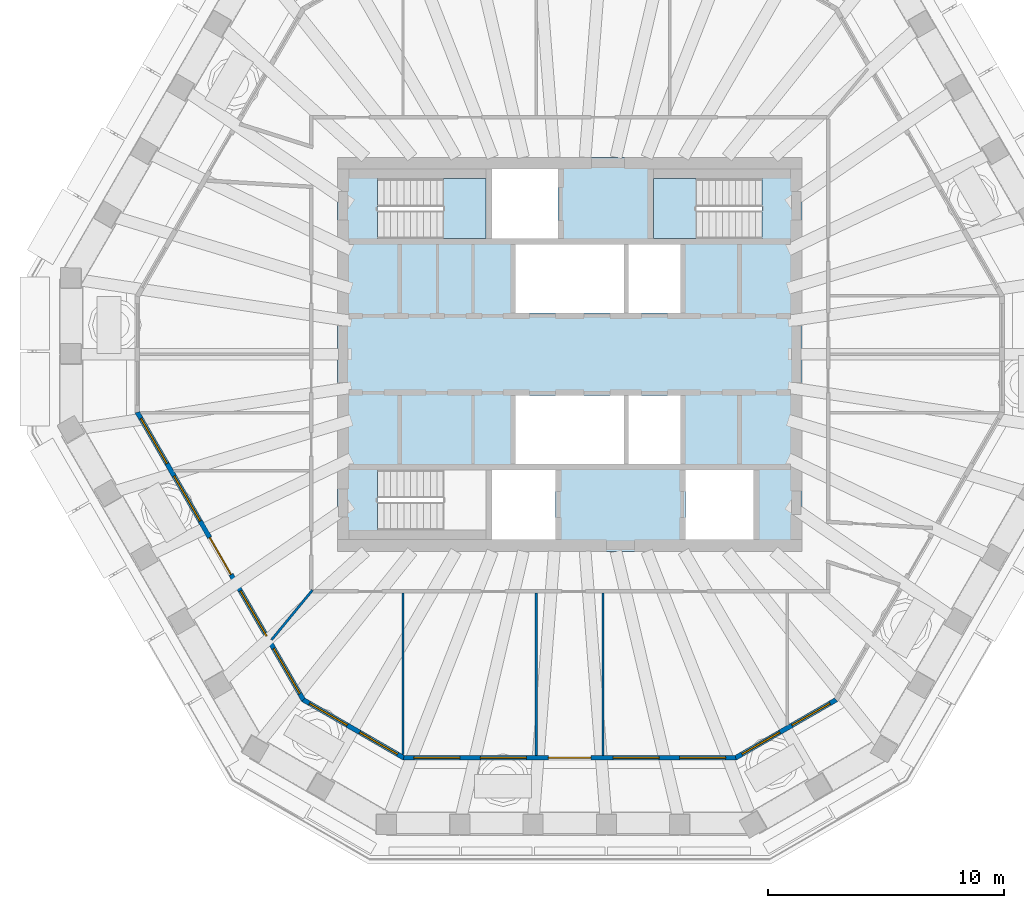
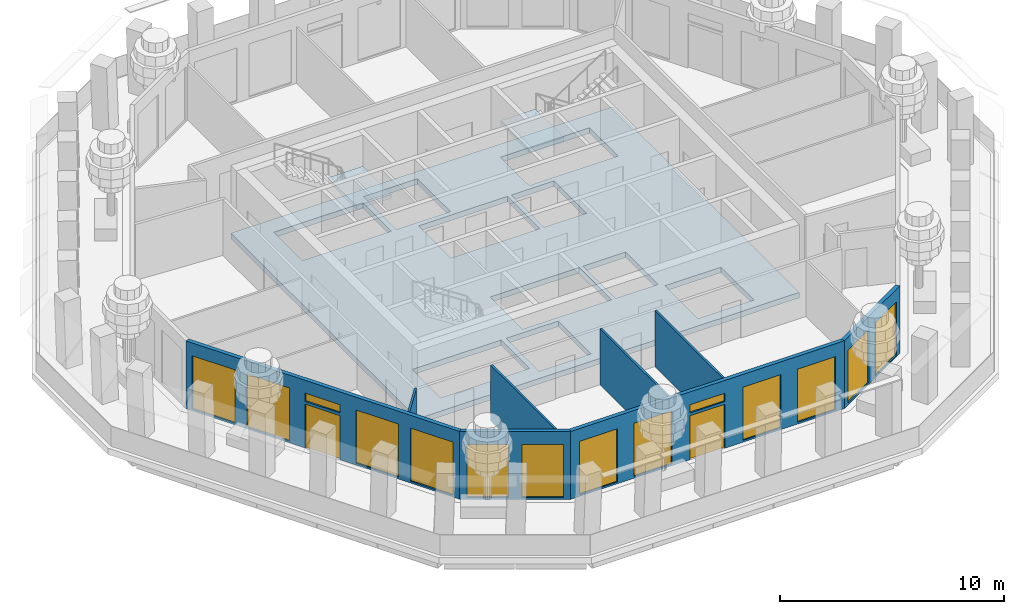
# One storey, part 3 of 13: 14 windows, 8 walls, 3 slabs, 2 doors, 16 openings, 2 elements without a shape of their own.
"""IFC4 building model written with IfcOpenShell, lengths in metres."""

from ifc_helpers import new_model, si_unit, direction, frame, frame_2d, origin, place, context, subcontext, project, spatial, polyline, rectangle, outline, extrude, material, layer, layer_set, type_object, element, fill, aggregate, save


model = new_model("IFC4")

# Units and contexts
model_context = context("Model", 3, precision=1e-05, world=origin(), true_north=direction((0.0, 1.0)))
body_context = subcontext(model_context, "Body", "Model", "MODEL_VIEW")
ifc_project = project(units=[si_unit("LENGTHUNIT", "METRE"), si_unit("AREAUNIT", "SQUARE_METRE"), si_unit("VOLUMEUNIT", "CUBIC_METRE"), si_unit("PLANEANGLEUNIT", "RADIAN"), si_unit("MASSUNIT", "GRAM", prefix="KILO")], contexts=[model_context])

# Site, building, storey
site_placement = place(None, origin())
site = spatial("IfcSite", under=ifc_project, at=site_placement, CompositionType="ELEMENT")
building_placement = place(site_placement, origin())
building = spatial("IfcBuilding", under=site, at=building_placement, Name="Frailejon Research Tower", CompositionType="ELEMENT")
storey_placement = place(building_placement, frame((0.0, 0.0, 308.60009765625)))
storey = spatial("IfcBuildingStorey", under=building, at=storey_placement, Name="L68", CompositionType="ELEMENT", Elevation=308.60009765625)

# Slab
ifc_material_1 = material(Name="Concrete C50/60", Category="concrete")
ifc_layer_1 = layer(ifc_material_1, 0.300048828125)
ifc_layer_set_1 = layer_set([ifc_layer_1], Name="Core floor slab 300 C50/60")
slab_type_1 = type_object("IfcSlabType", Name="Core floor slab 300 C50/60", PredefinedType="FLOOR", material=ifc_layer_set_1)
slab_1_placement = place(storey_placement, frame((0.0, 0.0, -0.300048828125)))
element("IfcSlab", 1, at=slab_1_placement, inside=storey, type_object=slab_type_1, Name="Core floor slab", PredefinedType="FLOOR", context=body_context, shape_type="SweptSolid", body=[
    extrude(outline(polyline([(9.85009765625, -8.35009765625), (9.85009765625, 8.35009765625), (-9.85009765625, 8.35009765625), (-9.85009765625, -8.35009765625), (9.85009765625, -8.35009765625)]), holes=[polyline([(2.300048828125, 1.75), (2.300048828125, 4.64990234375), (-2.300048828125, 4.64990234375), (-2.300048828125, 1.75), (2.300048828125, 1.75)]), polyline([(4.699951171875, 1.75), (4.699951171875, 4.64990234375), (2.5, 4.64990234375), (2.5, 1.75), (4.699951171875, 1.75)]), polyline([(2.300048828125, -4.64990234375), (2.300048828125, -1.75), (-2.300048828125, -1.75), (-2.300048828125, -4.64990234375), (2.300048828125, -4.64990234375)]), polyline([(4.699951171875, -4.64990234375), (4.699951171875, -1.75), (2.5, -1.75), (2.5, -4.64990234375), (4.699951171875, -4.64990234375)]), polyline([(-8.14697265625, 4.89990234375), (-3.550048828125, 4.89990234375), (-3.550048828125, 7.449951171875), (-8.14697265625, 7.449951171875), (-8.14697265625, 4.89990234375)]), polyline([(-8.14697265625, -7.449951171875), (-3.550048828125, -7.449951171875), (-3.550048828125, -4.89990234375), (-8.14697265625, -4.89990234375), (-8.14697265625, -7.449951171875)]), polyline([(8.14697265625, 7.449951171875), (3.550048828125, 7.449951171875), (3.550048828125, 4.89990234375), (8.14697265625, 4.89990234375), (8.14697265625, 7.449951171875)]), polyline([(-0.60009765625, -7.85009765625), (-0.60009765625, -4.89990234375), (-3.300048828125, -4.89990234375), (-3.300048828125, -7.85009765625), (-0.60009765625, -7.85009765625)]), polyline([(7.800048828125, -7.85009765625), (7.800048828125, -4.89990234375), (4.89990234375, -4.89990234375), (4.89990234375, -7.85009765625), (7.800048828125, -7.85009765625)]), polyline([(-0.5, 4.89990234375), (-0.5, 7.85009765625), (-3.300048828125, 7.85009765625), (-3.300048828125, 4.89990234375), (-0.5, 4.89990234375)])]), origin(), (0.0, 0.0, 1.0), 0.300048828125),
])

# Stair, slab
ifc_material_2 = material(Name="Concrete C50/60", Category="concrete")
stair_type = type_object("IfcStairType", Name="Exit stair 22 risers", PredefinedType="HALF_TURN_STAIR", material=ifc_material_2)
stair_1_placement = place(storey_placement, origin())
stair_1 = element("IfcStair", 2, at=stair_1_placement, inside=storey, type_object=stair_type, Name="L68 Exit stair ST1", PredefinedType="HALF_TURN_STAIR")
ifc_material_3 = material(Name="Concrete C50/60", Category="concrete")
ifc_layer_2 = layer(ifc_material_3, 0.199951171875)
ifc_layer_set_2 = layer_set([ifc_layer_2], Name="Stair landing slab 200")
slab_type_2 = type_object("IfcSlabType", Name="Stair landing slab 200", PredefinedType="LANDING", material=ifc_layer_set_2)
slab_2_placement = place(storey_placement, frame((0.0, 0.0, 1.7998046875)))
slab_2 = element("IfcSlab", 3, at=slab_2_placement, type_object=slab_type_2, Name="ST1 landing 1", PredefinedType="LANDING", context=body_context, shape_type="SweptSolid", body=[
    extrude(outline(polyline([(-5.35009765625, 4.89990234375), (-3.550048828125, 4.89990234375), (-3.550048828125, 7.449951171875), (-5.35009765625, 7.449951171875), (-5.35009765625, 4.89990234375)])), origin(), (0.0, 0.0, 1.0), 0.2001953125),
])
aggregate(stair_1, [slab_2])

stair_2_placement = place(storey_placement, origin())
stair_2 = element("IfcStair", 4, at=stair_2_placement, inside=storey, type_object=stair_type, Name="L68 Exit stair ST3", PredefinedType="HALF_TURN_STAIR")
slab_3_placement = place(storey_placement, frame((0.0, 0.0, 1.7998046875)))
slab_3 = element("IfcSlab", 5, at=slab_3_placement, type_object=slab_type_2, Name="ST3 landing 1", PredefinedType="LANDING", context=body_context, shape_type="SweptSolid", body=[
    extrude(outline(polyline([(5.35009765625, 7.449951171875), (3.550048828125, 7.449951171875), (3.550048828125, 4.89990234375), (5.35009765625, 4.89990234375), (5.35009765625, 7.449951171875)])), origin(), (0.0, 0.0, 1.0), 0.2001953125),
])
aggregate(stair_2, [slab_3])

# Walls
ifc_material_4 = material(Name="Gypsum board and masonry partition", Category="masonry")
ifc_layer_3 = layer(ifc_material_4, 0.10009765625)
ifc_layer_set_3 = layer_set([ifc_layer_3], Name="Partition, gypsum on steel studs 100")
wall_type_1 = type_object("IfcWallType", Name="Partition, gypsum on steel studs 100", PredefinedType="PARTITIONING", material=ifc_layer_set_3)
wall_1_placement = place(storey_placement, frame((-1.412841796875, -17.0, 0.0), z_axis=(0.0, 0.0, 1.0), x_axis=(0.0, 1.0, 0.0)))
element("IfcWall", 6, at=wall_1_placement, inside=storey, type_object=wall_type_1, Name="T:IW:L68:016", PredefinedType="PARTITIONING", context=body_context, shape_type="SweptSolid", body=[
    extrude(rectangle(XDim=6.875, YDim=0.10009765625, at=frame_2d((3.4375, 0.0))), origin(), (0.0, 0.0, 1.0), 3.0498046875),
])
wall_2_placement = place(storey_placement, frame((-7.063720703125, -16.968994140625, 0.0), z_axis=(0.0, 0.0, 1.0), x_axis=(0.0, 1.0, 0.0)))
element("IfcWall", 7, at=wall_2_placement, inside=storey, type_object=wall_type_1, Name="T:IW:L68:018", PredefinedType="PARTITIONING", context=body_context, shape_type="SweptSolid", body=[
    extrude(rectangle(XDim=6.843994140625, YDim=0.10009765625, at=frame_2d((3.421875, 0.0))), origin(), (0.0, 0.0, 1.0), 3.0498046875),
])
wall_3_placement = place(storey_placement, frame((-12.640869140625, -12.10546875, 0.0), z_axis=(0.0, 0.0, 1.0), x_axis=(0.635310017761, 0.772257198952, 0.0)))
element("IfcWall", 8, at=wall_3_placement, inside=storey, type_object=wall_type_1, Name="T:IW:L68:023", PredefinedType="PARTITIONING", context=body_context, shape_type="SweptSolid", body=[
    extrude(rectangle(XDim=2.736572265625, YDim=0.10009765625, at=frame_2d((1.3681640625, 0.0))), origin(), (0.0, 0.0, 1.0), 3.0498046875),
])
wall_4_placement = place(storey_placement, frame((1.412841796875, -17.0, 0.0), z_axis=(0.0, 0.0, 1.0), x_axis=(0.0, 1.0, 0.0)))
element("IfcWall", 9, at=wall_4_placement, inside=storey, type_object=wall_type_1, Name="T:IW:L68:024", PredefinedType="PARTITIONING", context=body_context, shape_type="SweptSolid", body=[
    extrude(rectangle(XDim=6.875, YDim=0.10009765625, at=frame_2d((3.4375, 0.0))), origin(), (0.0, 0.0, 1.0), 3.0498046875),
])

# Wall, openings, door, windows
ifc_material_5 = material(Name="Concrete C40/50 precast window wall panel", Category="concrete")
ifc_layer_4 = layer(ifc_material_5, 0.199951171875)
ifc_layer_set_4 = layer_set([ifc_layer_4], Name="Window wall 200")
wall_type_2 = type_object("IfcWallType", Name="Window wall 200", PredefinedType="SOLIDWALL", material=ifc_layer_set_4)
wall_5_placement = place(storey_placement, frame((-18.327392578125, -2.455810546875, 0.0), z_axis=(0.0, 0.0, 1.0), x_axis=(0.499991740577, -0.866030172312, 0.0)))
wall_5 = element("IfcWall", 10, at=wall_5_placement, inside=storey, type_object=wall_type_2, Name="Exterior wall L68", PredefinedType="SOLIDWALL", context=body_context, shape_type="SweptSolid", body=[
    extrude(outline(polyline([(-0.02685546875, -0.10009765625), (0.982177734375, -0.10009765625), (1.991455078125, -0.10009765625), (3.00048828125, -0.10009765625), (4.009521484375, -0.10009765625), (5.018798828125, -0.10009765625), (6.02783203125, -0.10009765625), (7.037109375, -0.10009765625), (8.046142578125, -0.10009765625), (9.05517578125, -0.10009765625), (10.064453125, -0.10009765625), (11.073486328125, -0.10009765625), (12.08251953125, -0.10009765625), (13.091796875, -0.10009765625), (14.100830078125, -0.10009765625), (14.047119140625, 0.10009765625), (13.045654296875, 0.10009765625), (12.044189453125, 0.10009765625), (11.042724609375, 0.10009765625), (10.041259765625, 0.10009765625), (9.039794921875, 0.10009765625), (8.038330078125, 0.10009765625), (7.037109375, 0.10009765625), (6.03564453125, 0.10009765625), (5.0341796875, 0.10009765625), (4.03271484375, 0.10009765625), (3.03125, 0.10009765625), (2.02978515625, 0.10009765625), (1.0283203125, 0.10009765625), (0.02685546875, 0.10009765625), (-0.02685546875, -0.10009765625)])), origin(), (0.0, 0.0, 1.0), 3.699951171875),
])
opening_1_placement = place(wall_5_placement, frame((0.307373046875, 0.0, 0.10009765625)))
opening_1 = element("IfcOpeningElement", 11, at=opening_1_placement, cuts=wall_5, Name="Opening W28", PredefinedType="OPENING", context=body_context, shape_type="SweptSolid", body=[
    extrude(rectangle(XDim=2.199951171875, YDim=2.89990234375, at=frame_2d((1.10009765625, 1.449951171875))), frame((0.0, 0.10986328125, 0.0), z_axis=(0.0, -1.0, 0.0), x_axis=(1.0, 0.0, 0.0)), (0.0, 0.0, 1.0), 0.219970703125),
])
opening_2_placement = place(wall_5_placement, frame((3.122314453125, 0.0, 0.10009765625)))
opening_2 = element("IfcOpeningElement", 12, at=opening_2_placement, cuts=wall_5, Name="Opening W28", PredefinedType="OPENING", context=body_context, shape_type="SweptSolid", body=[
    extrude(rectangle(XDim=2.199951171875, YDim=2.89990234375, at=frame_2d((1.10009765625, 1.449951171875))), frame((0.0, 0.10986328125, 0.0), z_axis=(0.0, -1.0, 0.0), x_axis=(1.0, 0.0, 0.0)), (0.0, 0.0, 1.0), 0.219970703125),
])
opening_3_placement = place(wall_5_placement, frame((6.136962890625, 0.0, 0.0)))
opening_3 = element("IfcOpeningElement", 13, at=opening_3_placement, cuts=wall_5, Name="Opening LG68-4", PredefinedType="OPENING", context=body_context, shape_type="SweptSolid", body=[
    extrude(rectangle(XDim=1.800048828125, YDim=2.39990234375, at=frame_2d((0.89990234375, 1.199951171875))), frame((0.0, 0.10986328125, 0.0), z_axis=(0.0, -1.0, 0.0), x_axis=(1.0, 0.0, 0.0)), (0.0, 0.0, 1.0), 0.219970703125),
])
opening_4_placement = place(wall_5_placement, frame((6.136962890625, 0.0, 2.550048828125)))
opening_4 = element("IfcOpeningElement", 14, at=opening_4_placement, cuts=wall_5, Name="Opening W1", PredefinedType="OPENING", context=body_context, shape_type="SweptSolid", body=[
    extrude(rectangle(XDim=1.800048828125, YDim=0.449951171875, at=frame_2d((0.89990234375, 0.22509765625))), frame((0.0, 0.10986328125, 0.0), z_axis=(0.0, -1.0, 0.0), x_axis=(1.0, 0.0, 0.0)), (0.0, 0.0, 1.0), 0.219970703125),
])
opening_5_placement = place(wall_5_placement, frame((8.751708984375, 0.0, 0.10009765625)))
opening_5 = element("IfcOpeningElement", 15, at=opening_5_placement, cuts=wall_5, Name="Opening W28", PredefinedType="OPENING", context=body_context, shape_type="SweptSolid", body=[
    extrude(rectangle(XDim=2.199951171875, YDim=2.89990234375, at=frame_2d((1.10009765625, 1.449951171875))), frame((0.0, 0.10986328125, 0.0), z_axis=(0.0, -1.0, 0.0), x_axis=(1.0, 0.0, 0.0)), (0.0, 0.0, 1.0), 0.219970703125),
])
opening_6_placement = place(wall_5_placement, frame((11.56640625, 0.0, 0.10009765625)))
opening_6 = element("IfcOpeningElement", 16, at=opening_6_placement, cuts=wall_5, Name="Opening W28", PredefinedType="OPENING", context=body_context, shape_type="SweptSolid", body=[
    extrude(rectangle(XDim=2.199951171875, YDim=2.89990234375, at=frame_2d((1.10009765625, 1.449951171875))), frame((0.0, 0.10986328125, 0.0), z_axis=(0.0, -1.0, 0.0), x_axis=(1.0, 0.0, 0.0)), (0.0, 0.0, 1.0), 0.219970703125),
])
ifc_material_6 = material(Name="Aluminium framed glazed door leaf", Category="aluminium")
door_type = type_object("IfcDoorType", Name="Loggia door 1800x2400", OperationType="DOUBLE_DOOR_SINGLE_SWING", PredefinedType="DOOR", material=ifc_material_6)
door_1_placement = place(opening_3_placement, origin())
door_1 = element("IfcDoor", 17, at=door_1_placement, inside=storey, type_object=door_type, Name="Door LG68-4", OperationType="DOUBLE_DOOR_SINGLE_SWING", OverallHeight=2.39990234375, OverallWidth=1.800048828125, PredefinedType="DOOR", context=body_context, shape_type="SweptSolid", body=[
    extrude(rectangle(XDim=1.800048828125, YDim=2.39990234375, at=frame_2d((0.89990234375, 1.199951171875))), frame((0.0, 0.02490234375, 0.0), z_axis=(0.0, -1.0, 0.0), x_axis=(1.0, 0.0, 0.0)), (0.0, 0.0, 1.0), 0.050048828125),
])
fill(opening_3, door_1)
ifc_material_7 = material(Name="Aluminium framed double glazing", Category="aluminium")
window_type_1 = type_object("IfcWindowType", Name="Window 1800x450", PartitioningType="SINGLE_PANEL", PredefinedType="WINDOW", material=ifc_material_7)
window_1_placement = place(opening_4_placement, origin())
window_1 = element("IfcWindow", 18, at=window_1_placement, inside=storey, type_object=window_type_1, Name="Window L68", OverallHeight=0.449951171875, OverallWidth=1.800048828125, PartitioningType="SINGLE_PANEL", PredefinedType="WINDOW", context=body_context, shape_type="SweptSolid", body=[
    extrude(rectangle(XDim=1.800048828125, YDim=0.449951171875, at=frame_2d((0.89990234375, 0.22509765625))), frame((0.0, 0.030029296875, 0.0), z_axis=(0.0, -1.0, 0.0), x_axis=(1.0, 0.0, 0.0)), (0.0, 0.0, 1.0), 0.06005859375),
])
fill(opening_4, window_1)
ifc_material_8 = material(Name="Aluminium framed double glazing", Category="aluminium")
window_type_2 = type_object("IfcWindowType", Name="Window 2200x2900", PartitioningType="SINGLE_PANEL", PredefinedType="WINDOW", material=ifc_material_8)
window_2_placement = place(opening_1_placement, origin())
window_2 = element("IfcWindow", 19, at=window_2_placement, inside=storey, type_object=window_type_2, Name="Window L68", OverallHeight=2.89990234375, OverallWidth=2.199951171875, PartitioningType="SINGLE_PANEL", PredefinedType="WINDOW", context=body_context, shape_type="SweptSolid", body=[
    extrude(rectangle(XDim=2.199951171875, YDim=2.89990234375, at=frame_2d((1.10009765625, 1.449951171875))), frame((0.0, 0.030029296875, 0.0), z_axis=(0.0, -1.0, 0.0), x_axis=(1.0, 0.0, 0.0)), (0.0, 0.0, 1.0), 0.06005859375),
])
fill(opening_1, window_2)
window_3_placement = place(opening_2_placement, origin())
window_3 = element("IfcWindow", 20, at=window_3_placement, inside=storey, type_object=window_type_2, Name="Window L68", OverallHeight=2.89990234375, OverallWidth=2.199951171875, PartitioningType="SINGLE_PANEL", PredefinedType="WINDOW", context=body_context, shape_type="SweptSolid", body=[
    extrude(rectangle(XDim=2.199951171875, YDim=2.89990234375, at=frame_2d((1.10009765625, 1.449951171875))), frame((0.0, 0.030029296875, 0.0), z_axis=(0.0, -1.0, 0.0), x_axis=(1.0, 0.0, 0.0)), (0.0, 0.0, 1.0), 0.06005859375),
])
fill(opening_2, window_3)
window_4_placement = place(opening_5_placement, origin())
window_4 = element("IfcWindow", 21, at=window_4_placement, inside=storey, type_object=window_type_2, Name="Window L68", OverallHeight=2.89990234375, OverallWidth=2.199951171875, PartitioningType="SINGLE_PANEL", PredefinedType="WINDOW", context=body_context, shape_type="SweptSolid", body=[
    extrude(rectangle(XDim=2.199951171875, YDim=2.89990234375, at=frame_2d((1.10009765625, 1.449951171875))), frame((0.0, 0.030029296875, 0.0), z_axis=(0.0, -1.0, 0.0), x_axis=(1.0, 0.0, 0.0)), (0.0, 0.0, 1.0), 0.06005859375),
])
fill(opening_5, window_4)
window_5_placement = place(opening_6_placement, origin())
window_5 = element("IfcWindow", 22, at=window_5_placement, inside=storey, type_object=window_type_2, Name="Window L68", OverallHeight=2.89990234375, OverallWidth=2.199951171875, PartitioningType="SINGLE_PANEL", PredefinedType="WINDOW", context=body_context, shape_type="SweptSolid", body=[
    extrude(rectangle(XDim=2.199951171875, YDim=2.89990234375, at=frame_2d((1.10009765625, 1.449951171875))), frame((0.0, 0.030029296875, 0.0), z_axis=(0.0, -1.0, 0.0), x_axis=(1.0, 0.0, 0.0)), (0.0, 0.0, 1.0), 0.06005859375),
])
fill(opening_6, window_5)

# Wall, openings, windows
wall_6_placement = place(storey_placement, frame((-11.29052734375, -14.644287109375, 0.0), z_axis=(0.0, 0.0, 1.0), x_axis=(0.86601671623, -0.500015046984, 0.0)))
wall_6 = element("IfcWall", 23, at=wall_6_placement, inside=storey, type_object=wall_type_2, Name="Exterior wall L68", PredefinedType="SOLIDWALL", context=body_context, shape_type="SweptSolid", body=[
    extrude(outline(polyline([(-0.02685546875, -0.10009765625), (1.21435546875, -0.10009765625), (2.45556640625, -0.10009765625), (3.697021484375, -0.10009765625), (4.938232421875, -0.10009765625), (4.884521484375, 0.10009765625), (3.670166015625, 0.10009765625), (2.45556640625, 0.10009765625), (1.2412109375, 0.10009765625), (0.02685546875, 0.10009765625), (-0.02685546875, -0.10009765625)])), origin(), (0.0, 0.0, 1.0), 3.699951171875),
])
opening_7_placement = place(wall_6_placement, frame((0.302978515625, 0.0, 0.10009765625)))
opening_7 = element("IfcOpeningElement", 24, at=opening_7_placement, cuts=wall_6, Name="Opening W26", PredefinedType="OPENING", context=body_context, shape_type="SweptSolid", body=[
    extrude(rectangle(XDim=1.85009765625, YDim=2.89990234375, at=frame_2d((0.925048828125, 1.449951171875))), frame((0.0, 0.10986328125, 0.0), z_axis=(0.0, -1.0, 0.0), x_axis=(1.0, 0.0, 0.0)), (0.0, 0.0, 1.0), 0.219970703125),
])
opening_8_placement = place(wall_6_placement, frame((2.7587890625, 0.0, 0.10009765625)))
opening_8 = element("IfcOpeningElement", 25, at=opening_8_placement, cuts=wall_6, Name="Opening W26", PredefinedType="OPENING", context=body_context, shape_type="SweptSolid", body=[
    extrude(rectangle(XDim=1.85009765625, YDim=2.89990234375, at=frame_2d((0.925048828125, 1.449951171875))), frame((0.0, 0.10986328125, 0.0), z_axis=(0.0, -1.0, 0.0), x_axis=(1.0, 0.0, 0.0)), (0.0, 0.0, 1.0), 0.219970703125),
])
ifc_material_9 = material(Name="Aluminium framed double glazing", Category="aluminium")
window_type_3 = type_object("IfcWindowType", Name="Window 1850x2900", PartitioningType="SINGLE_PANEL", PredefinedType="WINDOW", material=ifc_material_9)
window_6_placement = place(opening_7_placement, origin())
window_6 = element("IfcWindow", 26, at=window_6_placement, inside=storey, type_object=window_type_3, Name="Window L68", OverallHeight=2.89990234375, OverallWidth=1.85009765625, PartitioningType="SINGLE_PANEL", PredefinedType="WINDOW", context=body_context, shape_type="SweptSolid", body=[
    extrude(rectangle(XDim=1.85009765625, YDim=2.89990234375, at=frame_2d((0.925048828125, 1.449951171875))), frame((0.0, 0.030029296875, 0.0), z_axis=(0.0, -1.0, 0.0), x_axis=(1.0, 0.0, 0.0)), (0.0, 0.0, 1.0), 0.06005859375),
])
fill(opening_7, window_6)
window_7_placement = place(opening_8_placement, origin())
window_7 = element("IfcWindow", 27, at=window_7_placement, inside=storey, type_object=window_type_3, Name="Window L68", OverallHeight=2.89990234375, OverallWidth=1.85009765625, PartitioningType="SINGLE_PANEL", PredefinedType="WINDOW", context=body_context, shape_type="SweptSolid", body=[
    extrude(rectangle(XDim=1.85009765625, YDim=2.89990234375, at=frame_2d((0.925048828125, 1.449951171875))), frame((0.0, 0.030029296875, 0.0), z_axis=(0.0, -1.0, 0.0), x_axis=(1.0, 0.0, 0.0)), (0.0, 0.0, 1.0), 0.06005859375),
])
fill(opening_8, window_7)

# Wall, openings, door, windows
wall_7_placement = place(storey_placement, frame((-7.037109375, -17.10009765625, 0.0), z_axis=(0.0, 0.0, 1.0), x_axis=(1.0, 0.0, 0.0)))
wall_7 = element("IfcWall", 28, at=wall_7_placement, inside=storey, type_object=wall_type_2, Name="Exterior wall L68", PredefinedType="SOLIDWALL", context=body_context, shape_type="SweptSolid", body=[
    extrude(outline(polyline([(-0.02685546875, -0.10009765625), (0.982177734375, -0.10009765625), (1.991455078125, -0.10009765625), (3.00048828125, -0.10009765625), (4.009765625, -0.10009765625), (5.018798828125, -0.10009765625), (6.028076171875, -0.10009765625), (7.037109375, -0.10009765625), (8.046142578125, -0.10009765625), (9.055419921875, -0.10009765625), (10.064453125, -0.10009765625), (11.07373046875, -0.10009765625), (12.082763671875, -0.10009765625), (13.092041015625, -0.10009765625), (14.10107421875, -0.10009765625), (14.04736328125, 0.10009765625), (13.0458984375, 0.10009765625), (12.04443359375, 0.10009765625), (11.04296875, 0.10009765625), (10.04150390625, 0.10009765625), (9.0400390625, 0.10009765625), (8.03857421875, 0.10009765625), (7.037109375, 0.10009765625), (6.03564453125, 0.10009765625), (5.0341796875, 0.10009765625), (4.03271484375, 0.10009765625), (3.03125, 0.10009765625), (2.02978515625, 0.10009765625), (1.0283203125, 0.10009765625), (0.02685546875, 0.10009765625), (-0.02685546875, -0.10009765625)])), origin(), (0.0, 0.0, 1.0), 3.699951171875),
])
opening_9_placement = place(wall_7_placement, frame((0.432373046875, 0.0, 0.10009765625)))
opening_9 = element("IfcOpeningElement", 29, at=opening_9_placement, cuts=wall_7, Name="Opening W27", PredefinedType="OPENING", context=body_context, shape_type="SweptSolid", body=[
    extrude(rectangle(XDim=1.949951171875, YDim=2.89990234375, at=frame_2d((0.97509765625, 1.449951171875))), frame((0.0, 0.10986328125, 0.0), z_axis=(0.0, -1.0, 0.0), x_axis=(1.0, 0.0, 0.0)), (0.0, 0.0, 1.0), 0.219970703125),
])
opening_10_placement = place(wall_7_placement, frame((3.247314453125, 0.0, 0.10009765625)))
opening_10 = element("IfcOpeningElement", 30, at=opening_10_placement, cuts=wall_7, Name="Opening W27", PredefinedType="OPENING", context=body_context, shape_type="SweptSolid", body=[
    extrude(rectangle(XDim=1.949951171875, YDim=2.89990234375, at=frame_2d((0.97509765625, 1.449951171875))), frame((0.0, 0.10986328125, 0.0), z_axis=(0.0, -1.0, 0.0), x_axis=(1.0, 0.0, 0.0)), (0.0, 0.0, 1.0), 0.219970703125),
])
opening_11_placement = place(wall_7_placement, frame((6.136962890625, 0.0, 0.0)))
opening_11 = element("IfcOpeningElement", 31, at=opening_11_placement, cuts=wall_7, Name="Opening LG68-5", PredefinedType="OPENING", context=body_context, shape_type="SweptSolid", body=[
    extrude(rectangle(XDim=1.800048828125, YDim=2.39990234375, at=frame_2d((0.89990234375, 1.199951171875))), frame((0.0, 0.10986328125, 0.0), z_axis=(0.0, -1.0, 0.0), x_axis=(1.0, 0.0, 0.0)), (0.0, 0.0, 1.0), 0.219970703125),
])
opening_12_placement = place(wall_7_placement, frame((6.136962890625, 0.0, 2.550048828125)))
opening_12 = element("IfcOpeningElement", 32, at=opening_12_placement, cuts=wall_7, Name="Opening W1", PredefinedType="OPENING", context=body_context, shape_type="SweptSolid", body=[
    extrude(rectangle(XDim=1.800048828125, YDim=0.449951171875, at=frame_2d((0.89990234375, 0.22509765625))), frame((0.0, 0.10986328125, 0.0), z_axis=(0.0, -1.0, 0.0), x_axis=(1.0, 0.0, 0.0)), (0.0, 0.0, 1.0), 0.219970703125),
])
opening_13_placement = place(wall_7_placement, frame((8.876708984375, 0.0, 0.10009765625)))
opening_13 = element("IfcOpeningElement", 33, at=opening_13_placement, cuts=wall_7, Name="Opening W27", PredefinedType="OPENING", context=body_context, shape_type="SweptSolid", body=[
    extrude(rectangle(XDim=1.949951171875, YDim=2.89990234375, at=frame_2d((0.97509765625, 1.449951171875))), frame((0.0, 0.10986328125, 0.0), z_axis=(0.0, -1.0, 0.0), x_axis=(1.0, 0.0, 0.0)), (0.0, 0.0, 1.0), 0.219970703125),
])
opening_14_placement = place(wall_7_placement, frame((11.69140625, 0.0, 0.10009765625)))
opening_14 = element("IfcOpeningElement", 34, at=opening_14_placement, cuts=wall_7, Name="Opening W27", PredefinedType="OPENING", context=body_context, shape_type="SweptSolid", body=[
    extrude(rectangle(XDim=1.949951171875, YDim=2.89990234375, at=frame_2d((0.97509765625, 1.449951171875))), frame((0.0, 0.10986328125, 0.0), z_axis=(0.0, -1.0, 0.0), x_axis=(1.0, 0.0, 0.0)), (0.0, 0.0, 1.0), 0.219970703125),
])
door_2_placement = place(opening_11_placement, origin())
door_2 = element("IfcDoor", 35, at=door_2_placement, inside=storey, type_object=door_type, Name="Door LG68-5", OperationType="DOUBLE_DOOR_SINGLE_SWING", OverallHeight=2.39990234375, OverallWidth=1.800048828125, PredefinedType="DOOR", context=body_context, shape_type="SweptSolid", body=[
    extrude(rectangle(XDim=1.800048828125, YDim=2.39990234375, at=frame_2d((0.89990234375, 1.199951171875))), frame((0.0, 0.02490234375, 0.0), z_axis=(0.0, -1.0, 0.0), x_axis=(1.0, 0.0, 0.0)), (0.0, 0.0, 1.0), 0.050048828125),
])
fill(opening_11, door_2)
window_8_placement = place(opening_12_placement, origin())
window_8 = element("IfcWindow", 36, at=window_8_placement, inside=storey, type_object=window_type_1, Name="Window L68", OverallHeight=0.449951171875, OverallWidth=1.800048828125, PartitioningType="SINGLE_PANEL", PredefinedType="WINDOW", context=body_context, shape_type="SweptSolid", body=[
    extrude(rectangle(XDim=1.800048828125, YDim=0.449951171875, at=frame_2d((0.89990234375, 0.22509765625))), frame((0.0, 0.030029296875, 0.0), z_axis=(0.0, -1.0, 0.0), x_axis=(1.0, 0.0, 0.0)), (0.0, 0.0, 1.0), 0.06005859375),
])
fill(opening_12, window_8)
ifc_material_10 = material(Name="Aluminium framed double glazing", Category="aluminium")
window_type_4 = type_object("IfcWindowType", Name="Window 1950x2900", PartitioningType="SINGLE_PANEL", PredefinedType="WINDOW", material=ifc_material_10)
window_9_placement = place(opening_9_placement, origin())
window_9 = element("IfcWindow", 37, at=window_9_placement, inside=storey, type_object=window_type_4, Name="Window L68", OverallHeight=2.89990234375, OverallWidth=1.949951171875, PartitioningType="SINGLE_PANEL", PredefinedType="WINDOW", context=body_context, shape_type="SweptSolid", body=[
    extrude(rectangle(XDim=1.949951171875, YDim=2.89990234375, at=frame_2d((0.97509765625, 1.449951171875))), frame((0.0, 0.030029296875, 0.0), z_axis=(0.0, -1.0, 0.0), x_axis=(1.0, 0.0, 0.0)), (0.0, 0.0, 1.0), 0.06005859375),
])
fill(opening_9, window_9)
window_10_placement = place(opening_10_placement, origin())
window_10 = element("IfcWindow", 38, at=window_10_placement, inside=storey, type_object=window_type_4, Name="Window L68", OverallHeight=2.89990234375, OverallWidth=1.949951171875, PartitioningType="SINGLE_PANEL", PredefinedType="WINDOW", context=body_context, shape_type="SweptSolid", body=[
    extrude(rectangle(XDim=1.949951171875, YDim=2.89990234375, at=frame_2d((0.97509765625, 1.449951171875))), frame((0.0, 0.030029296875, 0.0), z_axis=(0.0, -1.0, 0.0), x_axis=(1.0, 0.0, 0.0)), (0.0, 0.0, 1.0), 0.06005859375),
])
fill(opening_10, window_10)
window_11_placement = place(opening_13_placement, origin())
window_11 = element("IfcWindow", 39, at=window_11_placement, inside=storey, type_object=window_type_4, Name="Window L68", OverallHeight=2.89990234375, OverallWidth=1.949951171875, PartitioningType="SINGLE_PANEL", PredefinedType="WINDOW", context=body_context, shape_type="SweptSolid", body=[
    extrude(rectangle(XDim=1.949951171875, YDim=2.89990234375, at=frame_2d((0.97509765625, 1.449951171875))), frame((0.0, 0.030029296875, 0.0), z_axis=(0.0, -1.0, 0.0), x_axis=(1.0, 0.0, 0.0)), (0.0, 0.0, 1.0), 0.06005859375),
])
fill(opening_13, window_11)
window_12_placement = place(opening_14_placement, origin())
window_12 = element("IfcWindow", 40, at=window_12_placement, inside=storey, type_object=window_type_4, Name="Window L68", OverallHeight=2.89990234375, OverallWidth=1.949951171875, PartitioningType="SINGLE_PANEL", PredefinedType="WINDOW", context=body_context, shape_type="SweptSolid", body=[
    extrude(rectangle(XDim=1.949951171875, YDim=2.89990234375, at=frame_2d((0.97509765625, 1.449951171875))), frame((0.0, 0.030029296875, 0.0), z_axis=(0.0, -1.0, 0.0), x_axis=(1.0, 0.0, 0.0)), (0.0, 0.0, 1.0), 0.06005859375),
])
fill(opening_14, window_12)

# Wall, openings, windows
wall_8_placement = place(storey_placement, frame((7.037109375, -17.10009765625, 0.0), z_axis=(0.0, 0.0, 1.0), x_axis=(0.86601671623, 0.500015046984, 0.0)))
wall_8 = element("IfcWall", 41, at=wall_8_placement, inside=storey, type_object=wall_type_2, Name="Exterior wall L68", PredefinedType="SOLIDWALL", context=body_context, shape_type="SweptSolid", body=[
    extrude(outline(polyline([(-0.02685546875, -0.10009765625), (1.21435546875, -0.10009765625), (2.45556640625, -0.10009765625), (3.697021484375, -0.10009765625), (4.938232421875, -0.10009765625), (4.884521484375, 0.10009765625), (3.670166015625, 0.10009765625), (2.45556640625, 0.10009765625), (1.2412109375, 0.10009765625), (0.02685546875, 0.10009765625), (-0.02685546875, -0.10009765625)])), origin(), (0.0, 0.0, 1.0), 3.699951171875),
])
opening_15_placement = place(wall_8_placement, frame((0.302978515625, 0.0, 0.10009765625)))
opening_15 = element("IfcOpeningElement", 42, at=opening_15_placement, cuts=wall_8, Name="Opening W26", PredefinedType="OPENING", context=body_context, shape_type="SweptSolid", body=[
    extrude(rectangle(XDim=1.85009765625, YDim=2.89990234375, at=frame_2d((0.925048828125, 1.449951171875))), frame((0.0, 0.10986328125, 0.0), z_axis=(0.0, -1.0, 0.0), x_axis=(1.0, 0.0, 0.0)), (0.0, 0.0, 1.0), 0.219970703125),
])
opening_16_placement = place(wall_8_placement, frame((2.7587890625, 0.0, 0.10009765625)))
opening_16 = element("IfcOpeningElement", 43, at=opening_16_placement, cuts=wall_8, Name="Opening W26", PredefinedType="OPENING", context=body_context, shape_type="SweptSolid", body=[
    extrude(rectangle(XDim=1.85009765625, YDim=2.89990234375, at=frame_2d((0.925048828125, 1.449951171875))), frame((0.0, 0.10986328125, 0.0), z_axis=(0.0, -1.0, 0.0), x_axis=(1.0, 0.0, 0.0)), (0.0, 0.0, 1.0), 0.219970703125),
])
window_13_placement = place(opening_15_placement, origin())
window_13 = element("IfcWindow", 44, at=window_13_placement, inside=storey, type_object=window_type_3, Name="Window L68", OverallHeight=2.89990234375, OverallWidth=1.85009765625, PartitioningType="SINGLE_PANEL", PredefinedType="WINDOW", context=body_context, shape_type="SweptSolid", body=[
    extrude(rectangle(XDim=1.85009765625, YDim=2.89990234375, at=frame_2d((0.925048828125, 1.449951171875))), frame((0.0, 0.030029296875, 0.0), z_axis=(0.0, -1.0, 0.0), x_axis=(1.0, 0.0, 0.0)), (0.0, 0.0, 1.0), 0.06005859375),
])
fill(opening_15, window_13)
window_14_placement = place(opening_16_placement, origin())
window_14 = element("IfcWindow", 45, at=window_14_placement, inside=storey, type_object=window_type_3, Name="Window L68", OverallHeight=2.89990234375, OverallWidth=1.85009765625, PartitioningType="SINGLE_PANEL", PredefinedType="WINDOW", context=body_context, shape_type="SweptSolid", body=[
    extrude(rectangle(XDim=1.85009765625, YDim=2.89990234375, at=frame_2d((0.925048828125, 1.449951171875))), frame((0.0, 0.030029296875, 0.0), z_axis=(0.0, -1.0, 0.0), x_axis=(1.0, 0.0, 0.0)), (0.0, 0.0, 1.0), 0.06005859375),
])
fill(opening_16, window_14)

save(model, "model.ifc")
